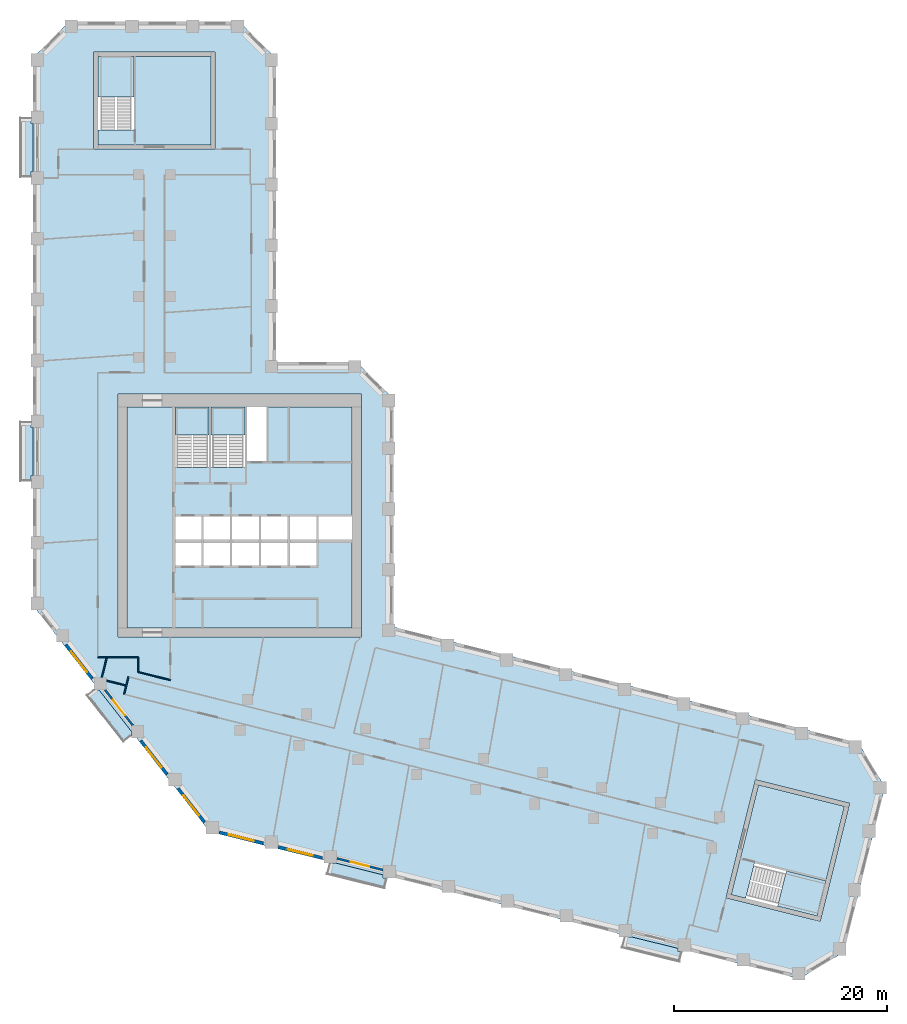
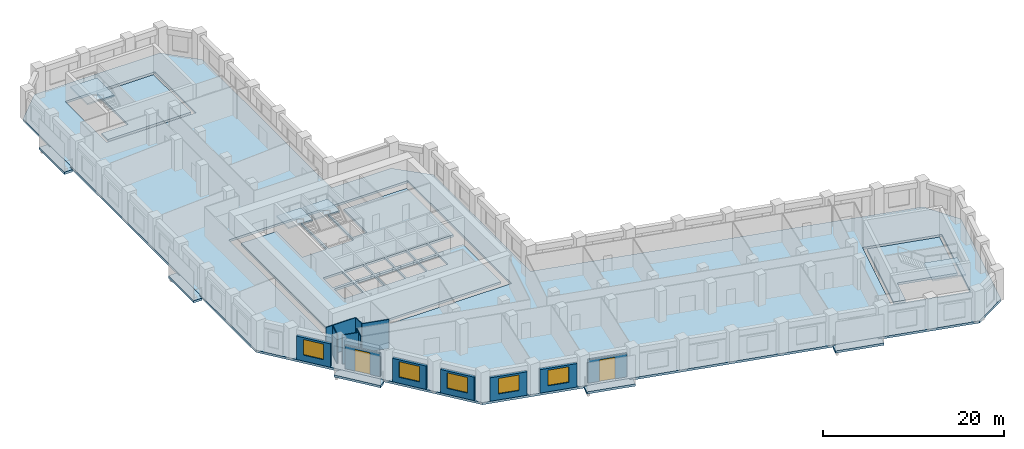
# One storey, part 2 of 10: 13 slabs, 13 walls, 5 windows, 2 doors, 7 openings, 4 elements without a shape of their own.
"""IFC4 building model written with IfcOpenShell, lengths in metres."""

from ifc_helpers import new_model, si_unit, direction, frame, frame_2d, origin, place, context, subcontext, project, spatial, polyline, rectangle, outline, extrude, material, layer, layer_set, type_object, element, fill, aggregate, save


model = new_model("IFC4")

# Units and contexts
model_context = context("Model", 3, precision=1e-05, world=origin(), true_north=direction((0.0, 1.0)))
body_context = subcontext(model_context, "Body", "Model", "MODEL_VIEW")
ifc_project = project(units=[si_unit("LENGTHUNIT", "METRE"), si_unit("AREAUNIT", "SQUARE_METRE"), si_unit("VOLUMEUNIT", "CUBIC_METRE"), si_unit("PLANEANGLEUNIT", "RADIAN"), si_unit("MASSUNIT", "GRAM", prefix="KILO")], contexts=[model_context])

# Site, building, storey
site_placement = place(None, origin())
site = spatial("IfcSite", under=ifc_project, at=site_placement, CompositionType="ELEMENT")
building_placement = place(site_placement, origin())
building = spatial("IfcBuilding", under=site, at=building_placement, Name="Meshkara Civic Tower", CompositionType="ELEMENT")
storey_placement = place(building_placement, frame((0.0, 0.0, 207.60009765625)))
storey = spatial("IfcBuildingStorey", under=building, at=storey_placement, Name="L47", CompositionType="ELEMENT", Elevation=207.60009765625)

# Slabs
ifc_material_1 = material(Name="Concrete C40", Category="concrete")
ifc_layer_1 = layer(ifc_material_1, 0.300048828125)
ifc_layer_set_1 = layer_set([ifc_layer_1], Name="BALCONY SLAB")
slab_type_1 = type_object("IfcSlabType", Name="BALCONY SLAB", PredefinedType="FLOOR", material=ifc_layer_set_1)
slab_1_placement = place(storey_placement, frame((0.0, 0.0, -0.300048828125)))
element("IfcSlab", 1, at=slab_1_placement, inside=storey, type_object=slab_type_1, Name="Balcony slab", PredefinedType="FLOOR", context=body_context, shape_type="SweptSolid", body=[
    extrude(outline(polyline([(-1.199951171875, 57.215087890625), (-1.199951171875, 62.794921875), (-0.14990234375, 62.794921875), (-0.14990234375, 62.2548828125), (0.0, 62.2548828125), (0.0, 57.7548828125), (-0.14990234375, 57.7548828125), (-0.14990234375, 57.215087890625), (-1.199951171875, 57.215087890625)])), origin(), (0.0, 0.0, 1.0), 0.300048828125),
])
slab_2_placement = place(storey_placement, frame((0.0, 0.0, -0.300048828125)))
element("IfcSlab", 2, at=slab_2_placement, inside=storey, type_object=slab_type_1, Name="Balcony slab", PredefinedType="FLOOR", context=body_context, shape_type="SweptSolid", body=[
    extrude(outline(polyline([(-1.199951171875, 28.715087890625), (-1.199951171875, 34.294921875), (-0.14990234375, 34.294921875), (-0.14990234375, 33.7548828125), (0.0, 33.7548828125), (0.0, 29.2548828125), (-0.14990234375, 29.2548828125), (-0.14990234375, 28.715087890625), (-1.199951171875, 28.715087890625)])), origin(), (0.0, 0.0, 1.0), 0.300048828125),
])
slab_3_placement = place(storey_placement, frame((0.0, 0.0, -0.300048828125)))
element("IfcSlab", 3, at=slab_3_placement, inside=storey, type_object=slab_type_1, Name="Balcony slab", PredefinedType="FLOOR", context=body_context, shape_type="SweptSolid", body=[
    extrude(outline(polyline([(8.49609375, 4.27587890625), (5.06005859375, 8.674072265625), (5.722900390625, 9.19189453125), (5.722900390625, 9.136962890625), (6.220947265625, 9.136962890625), (9.23291015625, 5.281982421875), (9.23291015625, 4.85205078125), (8.49609375, 4.27587890625)])), origin(), (0.0, 0.0, 1.0), 0.300048828125),
])
slab_4_placement = place(storey_placement, frame((0.0, 0.0, -0.300048828125)))
element("IfcSlab", 4, at=slab_4_placement, inside=storey, type_object=slab_type_1, Name="Balcony slab", PredefinedType="FLOOR", context=body_context, shape_type="SweptSolid", body=[
    extrude(outline(polyline([(32.986083984375, -9.4609375), (27.571044921875, -8.111083984375), (27.823974609375, -7.095947265625), (28.4599609375, -7.095947265625), (32.843017578125, -8.18896484375), (32.843017578125, -8.47509765625), (33.23193359375, -8.47509765625), (32.986083984375, -9.4609375)])), origin(), (0.0, 0.0, 1.0), 0.300048828125),
])
slab_5_placement = place(storey_placement, frame((0.0, 0.0, -0.300048828125)))
element("IfcSlab", 5, at=slab_5_placement, inside=storey, type_object=slab_type_1, Name="Balcony slab", PredefinedType="FLOOR", context=body_context, shape_type="SweptSolid", body=[
    extrude(outline(polyline([(60.639892578125, -16.35595703125), (55.22509765625, -15.006103515625), (55.47802734375, -13.989990234375), (56.112060546875, -13.989990234375), (60.4970703125, -15.0830078125), (60.4970703125, -15.368896484375), (60.885986328125, -15.368896484375), (60.639892578125, -16.35595703125)])), origin(), (0.0, 0.0, 1.0), 0.300048828125),
])
ifc_material_2 = material(Name="Concrete C40/50", Category="concrete")
ifc_layer_2 = layer(ifc_material_2, 0.300048828125)
ifc_layer_set_2 = layer_set([ifc_layer_2], Name="Core floor slab 300 C40/50")
slab_type_2 = type_object("IfcSlabType", Name="Core floor slab 300 C40/50", PredefinedType="FLOOR", material=ifc_layer_set_2)
slab_6_placement = place(storey_placement, frame((0.0, 0.0, -0.300048828125)))
element("IfcSlab", 6, at=slab_6_placement, inside=storey, type_object=slab_type_2, Name="Core floor K", PredefinedType="FLOOR", context=body_context, shape_type="SweptSolid", body=[
    extrude(outline(polyline([(8.85009765625, 35.699951171875), (13.3701171875, 35.699951171875), (13.3701171875, 30.00146484375), (16.5, 30.00146484375), (16.5, 35.699951171875), (16.699951171875, 35.699951171875), (16.699951171875, 30.00146484375), (19.89990234375, 30.00146484375), (19.89990234375, 35.699951171875), (20.10009765625, 35.699951171875), (20.10009765625, 30.574951171875), (21.925048828125, 30.574951171875), (21.925048828125, 35.699951171875), (29.949951171875, 35.699951171875), (29.949951171875, 25.39990234375), (26.800048828125, 25.39990234375), (26.800048828125, 23.27001953125), (29.949951171875, 23.27001953125), (29.949951171875, 14.949951171875), (8.85009765625, 14.949951171875), (8.85009765625, 35.699951171875)]), holes=[polyline([(15.800048828125, 22.929931640625), (13.3701171875, 22.929931640625), (13.3701171875, 20.800048828125), (15.800048828125, 20.800048828125), (15.800048828125, 22.929931640625)]), polyline([(16.0, 22.929931640625), (16.0, 20.800048828125), (18.5, 20.800048828125), (18.5, 22.929931640625), (16.0, 22.929931640625)]), polyline([(18.699951171875, 22.929931640625), (18.699951171875, 20.800048828125), (21.199951171875, 20.800048828125), (21.199951171875, 22.929931640625), (18.699951171875, 22.929931640625)]), polyline([(15.800048828125, 23.27001953125), (15.800048828125, 25.39990234375), (13.3701171875, 25.39990234375), (13.3701171875, 23.27001953125), (15.800048828125, 23.27001953125)]), polyline([(16.0, 25.39990234375), (16.0, 23.27001953125), (18.5, 23.27001953125), (18.5, 25.39990234375), (16.0, 25.39990234375)]), polyline([(23.89990234375, 20.800048828125), (23.89990234375, 22.929931640625), (21.39990234375, 22.929931640625), (21.39990234375, 20.800048828125), (23.89990234375, 20.800048828125)]), polyline([(24.10009765625, 20.800048828125), (26.60009765625, 20.800048828125), (26.60009765625, 22.929931640625), (24.10009765625, 22.929931640625), (24.10009765625, 20.800048828125)]), polyline([(18.699951171875, 25.39990234375), (18.699951171875, 23.27001953125), (21.199951171875, 23.27001953125), (21.199951171875, 25.39990234375), (18.699951171875, 25.39990234375)]), polyline([(21.39990234375, 23.27001953125), (23.89990234375, 23.27001953125), (23.89990234375, 25.39990234375), (21.39990234375, 25.39990234375), (21.39990234375, 23.27001953125)]), polyline([(24.10009765625, 23.27001953125), (26.60009765625, 23.27001953125), (26.60009765625, 25.39990234375), (24.10009765625, 25.39990234375), (24.10009765625, 23.27001953125)])]), origin(), (0.0, 0.0, 1.0), 0.300048828125),
])
slab_7_placement = place(storey_placement, frame((0.0, 0.0, -0.300048828125)))
element("IfcSlab", 7, at=slab_7_placement, inside=storey, type_object=slab_type_2, Name="Core floor EA", PredefinedType="FLOOR", context=body_context, shape_type="SweptSolid", body=[
    extrude(outline(polyline([(16.699951171875, 60.27001953125), (16.699951171875, 68.570068359375), (9.5, 68.570068359375), (9.5, 61.67138671875), (6.10009765625, 61.67138671875), (6.10009765625, 60.27001953125), (16.699951171875, 60.27001953125)])), origin(), (0.0, 0.0, 1.0), 0.300048828125),
])
slab_8_placement = place(storey_placement, frame((0.0, 0.0, -0.300048828125)))
element("IfcSlab", 8, at=slab_8_placement, inside=storey, type_object=slab_type_2, Name="Core floor EB", PredefinedType="FLOOR", context=body_context, shape_type="SweptSolid", body=[
    extrude(outline(polyline([(68.050537109375, 0.244384765625), (76.10400390625, -1.763671875), (74.362060546875, -8.749755859375), (67.66845703125, -7.080810546875), (66.845947265625, -10.3798828125), (65.486083984375, -10.040771484375), (68.050537109375, 0.244384765625)])), origin(), (0.0, 0.0, 1.0), 0.300048828125),
])

# Stair, slab
ifc_material_3 = material(Name="Precast concrete C40/50", Category="concrete")
stair_type = type_object("IfcStairType", Name="Exit stair half-turn 24 risers precast", PredefinedType="HALF_TURN_STAIR", material=ifc_material_3)
stair_1_placement = place(storey_placement, origin())
stair_1 = element("IfcStair", 9, at=stair_1_placement, inside=storey, type_object=stair_type, Name="L47 exit stair 1", PredefinedType="HALF_TURN_STAIR")
ifc_material_4 = material(Name="Precast concrete C40/50", Category="concrete")
ifc_layer_3 = layer(ifc_material_4, 0.199951171875)
ifc_layer_set_3 = layer_set([ifc_layer_3], Name="Exit stair landing 200")
slab_type_3 = type_object("IfcSlabType", Name="Exit stair landing 200", PredefinedType="LANDING", material=ifc_layer_set_3)
slab_9_placement = place(storey_placement, frame((0.0, 0.0, 1.89990234375)))
slab_9 = element("IfcSlab", 10, at=slab_9_placement, type_object=slab_type_3, Name="ST1 landing 1", PredefinedType="LANDING", context=body_context, shape_type="SweptSolid", body=[
    extrude(outline(polyline([(16.5, 33.07861328125), (16.5, 35.699951171875), (13.3701171875, 35.699951171875), (13.3701171875, 33.07861328125), (16.5, 33.07861328125)])), origin(), (0.0, 0.0, 1.0), 0.199951171875),
])
aggregate(stair_1, [slab_9])

stair_2_placement = place(storey_placement, origin())
stair_2 = element("IfcStair", 11, at=stair_2_placement, inside=storey, type_object=stair_type, Name="L47 exit stair 2", PredefinedType="HALF_TURN_STAIR")
slab_10_placement = place(storey_placement, frame((0.0, 0.0, 1.89990234375)))
slab_10 = element("IfcSlab", 12, at=slab_10_placement, type_object=slab_type_3, Name="ST2 landing 1", PredefinedType="LANDING", context=body_context, shape_type="SweptSolid", body=[
    extrude(outline(polyline([(19.89990234375, 33.07861328125), (19.89990234375, 35.699951171875), (16.699951171875, 35.699951171875), (16.699951171875, 33.07861328125), (19.89990234375, 33.07861328125)])), origin(), (0.0, 0.0, 1.0), 0.199951171875),
])
aggregate(stair_2, [slab_10])

stair_3_placement = place(storey_placement, origin())
stair_3 = element("IfcStair", 13, at=stair_3_placement, inside=storey, type_object=stair_type, Name="L47 exit stair A from L35", PredefinedType="HALF_TURN_STAIR")
slab_11_placement = place(storey_placement, frame((0.0, 0.0, 1.89990234375)))
slab_11 = element("IfcSlab", 14, at=slab_11_placement, type_object=slab_type_3, Name="ESA3 landing 1", PredefinedType="LANDING", context=body_context, shape_type="SweptSolid", body=[
    extrude(outline(polyline([(9.5, 64.74853515625), (9.5, 68.570068359375), (6.10009765625, 68.570068359375), (6.10009765625, 64.74853515625), (9.5, 64.74853515625)])), origin(), (0.0, 0.0, 1.0), 0.199951171875),
])
aggregate(stair_3, [slab_11])

stair_4_placement = place(storey_placement, origin())
stair_4 = element("IfcStair", 15, at=stair_4_placement, inside=storey, type_object=stair_type, Name="L47 exit stair B from L35", PredefinedType="HALF_TURN_STAIR")
slab_12_placement = place(storey_placement, frame((0.0, 0.0, 1.89990234375)))
slab_12 = element("IfcSlab", 16, at=slab_12_placement, type_object=slab_type_3, Name="ESB3 landing 1", PredefinedType="LANDING", context=body_context, shape_type="SweptSolid", body=[
    extrude(outline(polyline([(69.831298828125, -11.124755859375), (73.5400390625, -12.049072265625), (74.3623046875, -8.7490234375), (70.653564453125, -7.82470703125), (69.831298828125, -11.124755859375)])), origin(), (0.0, 0.0, 1.0), 0.199951171875),
])
aggregate(stair_4, [slab_12])

# Slab
ifc_material_5 = material(Name="Concrete C50", Category="concrete")
ifc_layer_4 = layer(ifc_material_5, 0.300048828125)
ifc_layer_set_4 = layer_set([ifc_layer_4], Name="Post-tensioned flat slab 300 C50")
slab_type_4 = type_object("IfcSlabType", Name="Post-tensioned flat slab 300 C50", PredefinedType="FLOOR", material=ifc_layer_set_4)
slab_13_placement = place(storey_placement, frame((0.0, 0.0, -0.300048828125)))
element("IfcSlab", 17, at=slab_13_placement, inside=storey, type_object=slab_type_4, Name="Post-tensioned flat slab L47", PredefinedType="FLOOR", context=body_context, shape_type="SweptSolid", body=[
    extrude(outline(polyline([(76.044921875, -15.43505859375), (71.89892578125, -17.926025390625), (16.592041015625, -4.136962890625), (0.0, 17.10009765625), (0.0, 68.39990234375), (3.419921875, 71.820068359375), (19.3798828125, 71.820068359375), (22.800048828125, 68.39990234375), (22.800048828125, 39.89990234375), (30.3798828125, 39.89990234375), (33.800048828125, 36.47998046875), (33.800048828125, 15.071044921875), (77.4150390625, 4.196044921875), (79.906005859375, 0.051025390625), (76.044921875, -15.43505859375)]), holes=[polyline([(73.8310546875, -12.533935546875), (76.589111328125, -1.471923828125), (67.759033203125, 0.72900390625), (65.0009765625, -10.33203125), (73.8310546875, -12.533935546875)]), polyline([(8.0, 14.10009765625), (30.800048828125, 14.10009765625), (30.800048828125, 36.89990234375), (8.0, 36.89990234375), (8.0, 14.10009765625)]), polyline([(5.699951171875, 68.969970703125), (5.699951171875, 59.8701171875), (17.10009765625, 59.8701171875), (17.10009765625, 68.969970703125), (5.699951171875, 68.969970703125)])]), origin(), (0.0, 0.0, 1.0), 0.300048828125),
])

# Walls
ifc_material_6 = material(Name="Corridor wall 100")
ifc_layer_5 = layer(ifc_material_6, 0.10009765625)
ifc_layer_set_5 = layer_set([ifc_layer_5], Name="Corridor wall 100")
wall_type_1 = type_object("IfcWallType", Name="Corridor wall 100", PredefinedType="PARTITIONING", material=ifc_layer_set_5)
wall_1_placement = place(storey_placement, frame((6.10009765625, 12.199951171875, 0.0), z_axis=(0.0, 0.0, 1.0), x_axis=(1.0, 0.0, 0.0)))
element("IfcWall", 18, at=wall_1_placement, inside=storey, type_object=wall_type_1, Name="L47-W004", PredefinedType="PARTITIONING", context=body_context, shape_type="SweptSolid", body=[
    extrude(rectangle(XDim=3.7998046875, YDim=0.10009765625, at=frame_2d((1.89990234375, 0.0))), origin(), (0.0, 0.0, 1.0), 3.89990234375),
])
wall_2_placement = place(storey_placement, frame((8.972900390625, 10.382080078125, 0.0), z_axis=(0.0, 0.0, 1.0), x_axis=(-0.241650823739, -0.970363271866, 0.0)))
element("IfcWall", 19, at=wall_2_placement, inside=storey, type_object=wall_type_1, Name="L47-W008", PredefinedType="PARTITIONING", context=body_context, shape_type="SweptSolid", body=[
    extrude(rectangle(XDim=1.688232421875, YDim=0.10009765625, at=frame_2d((0.84423828125, 0.0))), origin(), (0.0, 0.0, 1.0), 3.89990234375),
])
wall_3_placement = place(storey_placement, frame((9.89990234375, 10.825927734375, 0.0), z_axis=(0.0, 0.0, 1.0), x_axis=(0.970290953223, -0.241941038466, 0.0)))
element("IfcWall", 20, at=wall_3_placement, inside=storey, type_object=wall_type_1, Name="L47-W009", PredefinedType="PARTITIONING", context=body_context, shape_type="SweptSolid", body=[
    extrude(rectangle(XDim=3.091796875, YDim=0.10009765625, at=frame_2d((1.5458984375, 0.0))), origin(), (0.0, 0.0, 1.0), 3.89990234375),
])
wall_4_placement = place(storey_placement, frame((9.89990234375, 12.199951171875, 0.0), z_axis=(0.0, 0.0, 1.0), x_axis=(0.0, -1.0, 0.0)))
element("IfcWall", 21, at=wall_4_placement, inside=storey, type_object=wall_type_1, Name="L47-W010", PredefinedType="PARTITIONING", context=body_context, shape_type="SweptSolid", body=[
    extrude(rectangle(XDim=1.3740234375, YDim=0.10009765625, at=frame_2d((0.68701171875, 0.0))), origin(), (0.0, 0.0, 1.0), 3.89990234375),
])

# Wall, opening, window
ifc_material_7 = material(Name="Insulated infill panel with bronze anodised aluminium cladding", Category="aluminium")
ifc_layer_6 = layer(ifc_material_7, 0.300048828125)
ifc_layer_set_6 = layer_set([ifc_layer_6], Name="EXTERNAL INFILL WALL 300")
wall_type_2 = type_object("IfcWallType", Name="EXTERNAL INFILL WALL 300", PredefinedType="SOLIDWALL", material=ifc_layer_set_6)
wall_5_placement = place(storey_placement, frame((3.095947265625, 13.381103515625, 0.0), z_axis=(0.0, 0.0, 1.0), x_axis=(0.615563820493, -0.78808704018, 0.0)))
wall_5 = element("IfcWall", 22, at=wall_5_placement, inside=storey, type_object=wall_type_2, Name="External wall", PredefinedType="SOLIDWALL", context=body_context, shape_type="SweptSolid", body=[
    extrude(rectangle(XDim=4.01611328125, YDim=0.300048828125, at=frame_2d((2.008056640625, 0.0))), origin(), (0.0, 0.0, 1.0), 3.14990234375),
])
opening_1_placement = place(wall_5_placement, frame((0.80810546875, 0.0, 0.800048828125)))
opening_1 = element("IfcOpeningElement", 23, at=opening_1_placement, cuts=wall_5, Name="Opening W7", PredefinedType="OPENING", context=body_context, shape_type="SweptSolid", body=[
    extrude(rectangle(XDim=2.39990234375, YDim=2.10009765625, at=frame_2d((1.199951171875, 1.050048828125))), frame((0.0, 0.159912109375, 0.0), z_axis=(0.0, -1.0, 0.0), x_axis=(1.0, 0.0, 0.0)), (0.0, 0.0, 1.0), 0.320068359375),
])
ifc_material_8 = material(Name="Tinted double glazing", Category="glass")
window_type = type_object("IfcWindowType", Name="WINDOW 2400x2100", PartitioningType="DOUBLE_PANEL_VERTICAL", PredefinedType="WINDOW", material=ifc_material_8)
window_1_placement = place(opening_1_placement, origin())
window_1 = element("IfcWindow", 24, at=window_1_placement, inside=storey, type_object=window_type, Name="Window", OverallHeight=2.10009765625, OverallWidth=2.39990234375, PartitioningType="DOUBLE_PANEL_VERTICAL", PredefinedType="WINDOW", context=body_context, shape_type="SweptSolid", body=[
    extrude(rectangle(XDim=2.39990234375, YDim=2.10009765625, at=frame_2d((1.199951171875, 1.050048828125))), frame((0.0, 0.030029296875, 0.0), z_axis=(0.0, -1.0, 0.0), x_axis=(1.0, 0.0, 0.0)), (0.0, 0.0, 1.0), 0.06005859375),
])
fill(opening_1, window_1)

wall_6_placement = place(storey_placement, frame((10.114990234375, 4.39697265625, 0.0), z_axis=(0.0, 0.0, 1.0), x_axis=(0.615644041972, -0.788024373725, 0.0)))
wall_6 = element("IfcWall", 25, at=wall_6_placement, inside=storey, type_object=wall_type_2, Name="External wall", PredefinedType="SOLIDWALL", context=body_context, shape_type="SweptSolid", body=[
    extrude(rectangle(XDim=4.01513671875, YDim=0.300048828125, at=frame_2d((2.007568359375, 0.0))), origin(), (0.0, 0.0, 1.0), 3.14990234375),
])
opening_2_placement = place(wall_6_placement, frame((0.806884765625, 0.0, 0.800048828125)))
opening_2 = element("IfcOpeningElement", 26, at=opening_2_placement, cuts=wall_6, Name="Opening W7", PredefinedType="OPENING", context=body_context, shape_type="SweptSolid", body=[
    extrude(rectangle(XDim=2.39990234375, YDim=2.10009765625, at=frame_2d((1.199951171875, 1.050048828125))), frame((0.0, 0.159912109375, 0.0), z_axis=(0.0, -1.0, 0.0), x_axis=(1.0, 0.0, 0.0)), (0.0, 0.0, 1.0), 0.320068359375),
])
window_2_placement = place(opening_2_placement, origin())
window_2 = element("IfcWindow", 27, at=window_2_placement, inside=storey, type_object=window_type, Name="Window", OverallHeight=2.10009765625, OverallWidth=2.39990234375, PartitioningType="DOUBLE_PANEL_VERTICAL", PredefinedType="WINDOW", context=body_context, shape_type="SweptSolid", body=[
    extrude(rectangle(XDim=2.39990234375, YDim=2.10009765625, at=frame_2d((1.199951171875, 1.050048828125))), frame((0.0, 0.030029296875, 0.0), z_axis=(0.0, -1.0, 0.0), x_axis=(1.0, 0.0, 0.0)), (0.0, 0.0, 1.0), 0.06005859375),
])
fill(opening_2, window_2)

wall_7_placement = place(storey_placement, frame((13.6240234375, -0.093994140625, 0.0), z_axis=(0.0, 0.0, 1.0), x_axis=(0.615526062586, -0.7881165309, 0.0)))
wall_7 = element("IfcWall", 28, at=wall_7_placement, inside=storey, type_object=wall_type_2, Name="External wall", PredefinedType="SOLIDWALL", context=body_context, shape_type="SweptSolid", body=[
    extrude(rectangle(XDim=4.015869140625, YDim=0.300048828125, at=frame_2d((2.0078125, 0.0))), origin(), (0.0, 0.0, 1.0), 3.14990234375),
])
opening_3_placement = place(wall_7_placement, frame((0.80810546875, 0.0, 0.800048828125)))
opening_3 = element("IfcOpeningElement", 29, at=opening_3_placement, cuts=wall_7, Name="Opening W7", PredefinedType="OPENING", context=body_context, shape_type="SweptSolid", body=[
    extrude(rectangle(XDim=2.39990234375, YDim=2.10009765625, at=frame_2d((1.199951171875, 1.050048828125))), frame((0.0, 0.159912109375, 0.0), z_axis=(0.0, -1.0, 0.0), x_axis=(1.0, 0.0, 0.0)), (0.0, 0.0, 1.0), 0.320068359375),
])
window_3_placement = place(opening_3_placement, origin())
window_3 = element("IfcWindow", 30, at=window_3_placement, inside=storey, type_object=window_type, Name="Window", OverallHeight=2.10009765625, OverallWidth=2.39990234375, PartitioningType="DOUBLE_PANEL_VERTICAL", PredefinedType="WINDOW", context=body_context, shape_type="SweptSolid", body=[
    extrude(rectangle(XDim=2.39990234375, YDim=2.10009765625, at=frame_2d((1.199951171875, 1.050048828125))), frame((0.0, 0.030029296875, 0.0), z_axis=(0.0, -1.0, 0.0), x_axis=(1.0, 0.0, 0.0)), (0.0, 0.0, 1.0), 0.06005859375),
])
fill(opening_3, window_3)

wall_8_placement = place(storey_placement, frame((17.48388671875, -4.205078125, 0.0), z_axis=(0.0, 0.0, 1.0), x_axis=(0.970318118028, -0.241832069473, 0.0)))
wall_8 = element("IfcWall", 31, at=wall_8_placement, inside=storey, type_object=wall_type_2, Name="External wall", PredefinedType="SOLIDWALL", context=body_context, shape_type="SweptSolid", body=[
    extrude(rectangle(XDim=4.24609375, YDim=0.300048828125, at=frame_2d((2.123046875, 0.0))), origin(), (0.0, 0.0, 1.0), 3.14990234375),
])
opening_4_placement = place(wall_8_placement, frame((0.923095703125, 0.0, 0.800048828125)))
opening_4 = element("IfcOpeningElement", 32, at=opening_4_placement, cuts=wall_8, Name="Opening W7", PredefinedType="OPENING", context=body_context, shape_type="SweptSolid", body=[
    extrude(rectangle(XDim=2.39990234375, YDim=2.10009765625, at=frame_2d((1.199951171875, 1.050048828125))), frame((0.0, 0.159912109375, 0.0), z_axis=(0.0, -1.0, 0.0), x_axis=(1.0, 0.0, 0.0)), (0.0, 0.0, 1.0), 0.320068359375),
])
window_4_placement = place(opening_4_placement, origin())
window_4 = element("IfcWindow", 33, at=window_4_placement, inside=storey, type_object=window_type, Name="Window", OverallHeight=2.10009765625, OverallWidth=2.39990234375, PartitioningType="DOUBLE_PANEL_VERTICAL", PredefinedType="WINDOW", context=body_context, shape_type="SweptSolid", body=[
    extrude(rectangle(XDim=2.39990234375, YDim=2.10009765625, at=frame_2d((1.199951171875, 1.050048828125))), frame((0.0, 0.030029296875, 0.0), z_axis=(0.0, -1.0, 0.0), x_axis=(1.0, 0.0, 0.0)), (0.0, 0.0, 1.0), 0.06005859375),
])
fill(opening_4, window_4)

wall_9_placement = place(storey_placement, frame((23.014892578125, -5.583984375, 0.0), z_axis=(0.0, 0.0, 1.0), x_axis=(0.970291164166, -0.241940192487, 0.0)))
wall_9 = element("IfcWall", 34, at=wall_9_placement, inside=storey, type_object=wall_type_2, Name="External wall", PredefinedType="SOLIDWALL", context=body_context, shape_type="SweptSolid", body=[
    extrude(rectangle(XDim=4.245361328125, YDim=0.300048828125, at=frame_2d((2.12255859375, 0.0))), origin(), (0.0, 0.0, 1.0), 3.14990234375),
])
opening_5_placement = place(wall_9_placement, frame((0.922119140625, 0.0, 0.800048828125)))
opening_5 = element("IfcOpeningElement", 35, at=opening_5_placement, cuts=wall_9, Name="Opening W7", PredefinedType="OPENING", context=body_context, shape_type="SweptSolid", body=[
    extrude(rectangle(XDim=2.39990234375, YDim=2.10009765625, at=frame_2d((1.199951171875, 1.050048828125))), frame((0.0, 0.159912109375, 0.0), z_axis=(0.0, -1.0, 0.0), x_axis=(1.0, 0.0, 0.0)), (0.0, 0.0, 1.0), 0.320068359375),
])
window_5_placement = place(opening_5_placement, origin())
window_5 = element("IfcWindow", 36, at=window_5_placement, inside=storey, type_object=window_type, Name="Window", OverallHeight=2.10009765625, OverallWidth=2.39990234375, PartitioningType="DOUBLE_PANEL_VERTICAL", PredefinedType="WINDOW", context=body_context, shape_type="SweptSolid", body=[
    extrude(rectangle(XDim=2.39990234375, YDim=2.10009765625, at=frame_2d((1.199951171875, 1.050048828125))), frame((0.0, 0.030029296875, 0.0), z_axis=(0.0, -1.0, 0.0), x_axis=(1.0, 0.0, 0.0)), (0.0, 0.0, 1.0), 0.06005859375),
])
fill(opening_5, window_5)

# Wall, opening, door
ifc_material_9 = material(Name="Insulated infill panel with bronze anodised aluminium cladding", Category="aluminium")
ifc_layer_7 = layer(ifc_material_9, 0.199951171875)
ifc_layer_set_7 = layer_set([ifc_layer_7], Name="LOGGIA BACK WALL 200")
wall_type_3 = type_object("IfcWallType", Name="LOGGIA BACK WALL 200", PredefinedType="SOLIDWALL", material=ifc_layer_set_7)
wall_10_placement = place(storey_placement, frame((6.79296875, 9.136962890625, 0.0), z_axis=(0.0, 0.0, 1.0), x_axis=(0.615521537177, -0.788120065264, 0.0)))
wall_10 = element("IfcWall", 37, at=wall_10_placement, inside=storey, type_object=wall_type_3, Name="Loggia wall", PredefinedType="SOLIDWALL", context=body_context, shape_type="SweptSolid", body=[
    extrude(rectangle(XDim=4.177001953125, YDim=0.199951171875, at=frame_2d((2.08837890625, 0.0))), origin(), (0.0, 0.0, 1.0), 3.14990234375),
])
opening_6_placement = place(wall_10_placement, frame((1.18798828125, 0.0, 0.0)))
opening_6 = element("IfcOpeningElement", 38, at=opening_6_placement, cuts=wall_10, Name="Opening L47-L003", PredefinedType="OPENING", context=body_context, shape_type="SweptSolid", body=[
    extrude(rectangle(XDim=1.800048828125, YDim=2.89990234375, at=frame_2d((0.89990234375, 1.449951171875))), frame((0.0, 0.10986328125, 0.0), z_axis=(0.0, -1.0, 0.0), x_axis=(1.0, 0.0, 0.0)), (0.0, 0.0, 1.0), 0.219970703125),
])
ifc_material_10 = material(Name="Tinted double glazing", Category="glass")
door_type = type_object("IfcDoorType", Name="LOGGIA DOOR 1800x2900", OperationType="DOUBLE_DOOR_SINGLE_SWING", PredefinedType="DOOR", material=ifc_material_10)
door_1_placement = place(opening_6_placement, origin())
door_1 = element("IfcDoor", 39, at=door_1_placement, inside=storey, type_object=door_type, Name="L47-L003", OperationType="DOUBLE_DOOR_SINGLE_SWING", OverallHeight=2.89990234375, OverallWidth=1.800048828125, PredefinedType="DOOR", context=body_context, shape_type="SweptSolid", body=[
    extrude(rectangle(XDim=1.800048828125, YDim=2.89990234375, at=frame_2d((0.89990234375, 1.449951171875))), frame((0.0, 0.02490234375, 0.0), z_axis=(0.0, -1.0, 0.0), x_axis=(1.0, 0.0, 0.0)), (0.0, 0.0, 1.0), 0.050048828125),
])
fill(opening_6, door_1)

wall_11_placement = place(storey_placement, frame((28.511962890625, -6.64501953125, 0.0), z_axis=(0.0, 0.0, 1.0), x_axis=(0.970283897632, -0.241969332758, 0.0)))
wall_11 = element("IfcWall", 40, at=wall_11_placement, inside=storey, type_object=wall_type_3, Name="Loggia wall", PredefinedType="SOLIDWALL", context=body_context, shape_type="SweptSolid", body=[
    extrude(rectangle(XDim=4.463623046875, YDim=0.199951171875, at=frame_2d((2.23193359375, 0.0))), origin(), (0.0, 0.0, 1.0), 3.14990234375),
])
opening_7_placement = place(wall_11_placement, frame((1.3310546875, 0.0, 0.0)))
opening_7 = element("IfcOpeningElement", 41, at=opening_7_placement, cuts=wall_11, Name="Opening L47-L004", PredefinedType="OPENING", context=body_context, shape_type="SweptSolid", body=[
    extrude(rectangle(XDim=1.800048828125, YDim=2.89990234375, at=frame_2d((0.89990234375, 1.449951171875))), frame((0.0, 0.10986328125, 0.0), z_axis=(0.0, -1.0, 0.0), x_axis=(1.0, 0.0, 0.0)), (0.0, 0.0, 1.0), 0.219970703125),
])
door_2_placement = place(opening_7_placement, origin())
door_2 = element("IfcDoor", 42, at=door_2_placement, inside=storey, type_object=door_type, Name="L47-L004", OperationType="DOUBLE_DOOR_SINGLE_SWING", OverallHeight=2.89990234375, OverallWidth=1.800048828125, PredefinedType="DOOR", context=body_context, shape_type="SweptSolid", body=[
    extrude(rectangle(XDim=1.800048828125, YDim=2.89990234375, at=frame_2d((0.89990234375, 1.449951171875))), frame((0.0, 0.02490234375, 0.0), z_axis=(0.0, -1.0, 0.0), x_axis=(1.0, 0.0, 0.0)), (0.0, 0.0, 1.0), 0.050048828125),
])
fill(opening_7, door_2)

# Walls
ifc_material_11 = material(Name="Partition 100")
ifc_layer_8 = layer(ifc_material_11, 0.10009765625)
ifc_layer_set_8 = layer_set([ifc_layer_8], Name="Partition 100")
wall_type_4 = type_object("IfcWallType", Name="Partition 100", PredefinedType="PARTITIONING", material=ifc_layer_set_8)
wall_12_placement = place(storey_placement, frame((6.922119140625, 12.137939453125, 0.0), z_axis=(0.0, 0.0, 1.0), x_axis=(-0.242504681353, -0.970150235542, 0.0)))
element("IfcWall", 43, at=wall_12_placement, inside=storey, type_object=wall_type_4, Name="L47-W037", PredefinedType="PARTITIONING", context=body_context, shape_type="SweptSolid", body=[
    extrude(rectangle(XDim=1.8564453125, YDim=0.10009765625, at=frame_2d((0.92822265625, 0.0))), origin(), (0.0, 0.0, 1.0), 3.89990234375),
])
wall_13_placement = place(storey_placement, frame((8.719970703125, 9.573974609375, 0.0), z_axis=(0.0, 0.0, 1.0), x_axis=(-0.97017350799, 0.242411559945, 0.0)))
element("IfcWall", 44, at=wall_13_placement, inside=storey, type_object=wall_type_4, Name="L47-W038", PredefinedType="PARTITIONING", context=body_context, shape_type="SweptSolid", body=[
    extrude(rectangle(XDim=1.85205078125, YDim=0.10009765625, at=frame_2d((0.926025390625, 0.0))), origin(), (0.0, 0.0, 1.0), 3.89990234375),
])

save(model, "model.ifc")
